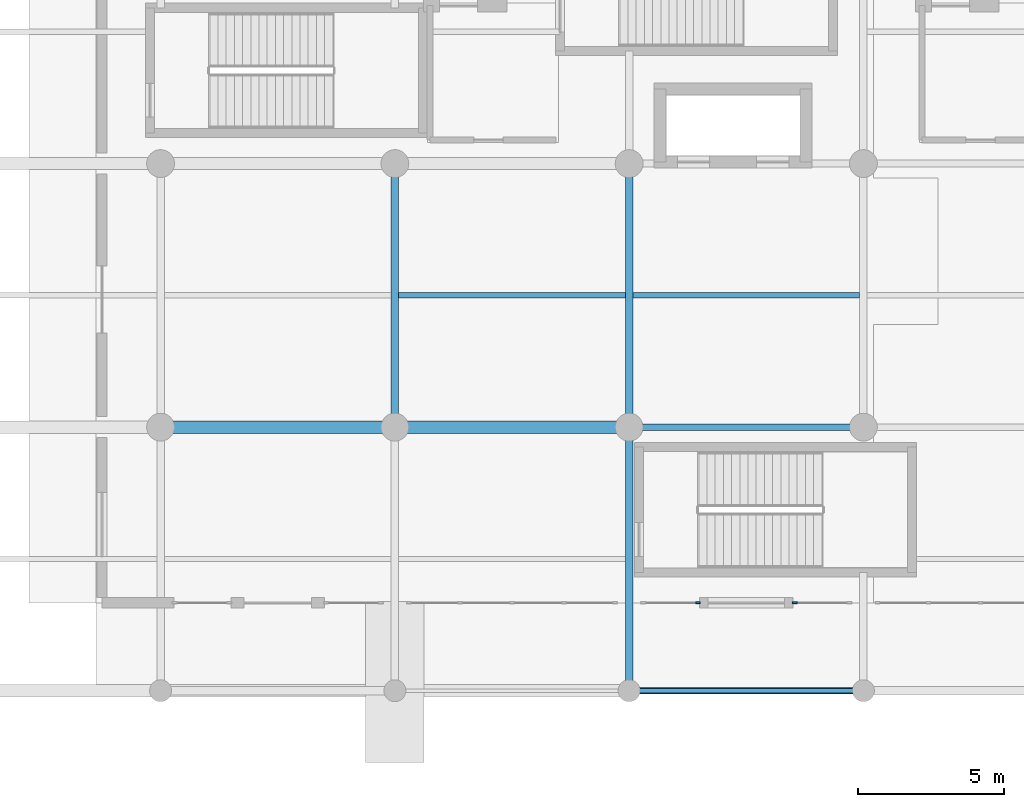
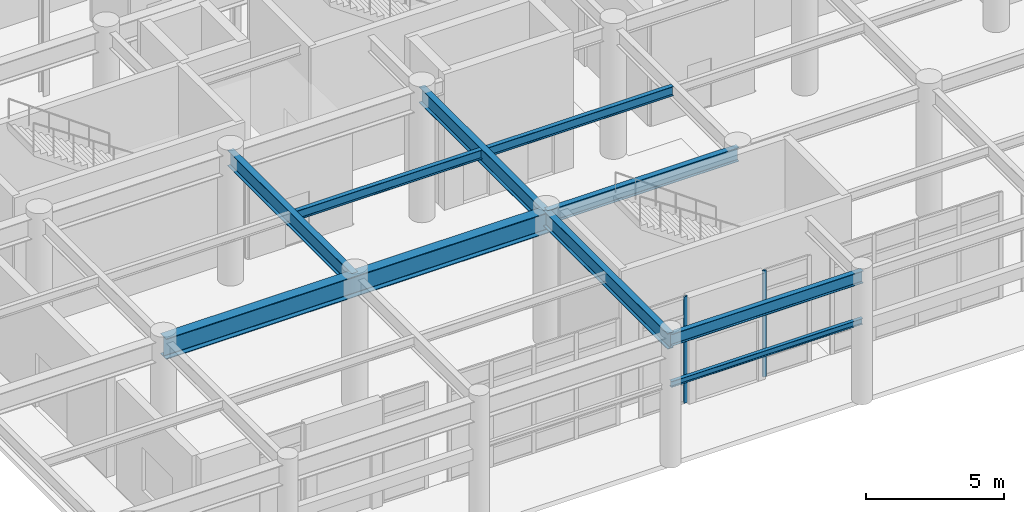
# One storey, part 6 of 49: 9 beams, 2 members, 2 elements without a shape of their own.
"""IFC4 building model written with IfcOpenShell, lengths in metres."""

from ifc_helpers import new_model, si_unit, direction, frame, origin, origin_2d, place, context, subcontext, project, spatial, rectangle, i_section, extrude, material, layer, layer_set, material_profile, profile_set, type_object, element, aggregate, save


model = new_model("IFC4")

# Units and contexts
model_context = context("Model", 3, precision=1e-05, world=origin(), true_north=direction((0.0, 1.0)))
body_context = subcontext(model_context, "Body", "Model", "MODEL_VIEW")
ifc_project = project(units=[si_unit("LENGTHUNIT", "METRE"), si_unit("AREAUNIT", "SQUARE_METRE"), si_unit("VOLUMEUNIT", "CUBIC_METRE"), si_unit("PLANEANGLEUNIT", "RADIAN"), si_unit("MASSUNIT", "GRAM", prefix="KILO")], contexts=[model_context])

# Site, building, storey
site_placement = place(None, origin())
site = spatial("IfcSite", under=ifc_project, at=site_placement, CompositionType="ELEMENT")
building_placement = place(site_placement, origin())
building = spatial("IfcBuilding", under=site, at=building_placement, Name="Tlacozan Convention Centre", CompositionType="ELEMENT")
storey_placement = place(building_placement, origin())
storey = spatial("IfcBuildingStorey", under=building, at=storey_placement, Name="L00", CompositionType="ELEMENT", Elevation=0.0)

# Curtain wall, member
ifc_material_1 = material(Name="Dark Bronze Anodised Aluminium", Category="aluminium")
ifc_layer = layer(ifc_material_1, 0.159912109375)
ifc_layer_set = layer_set([ifc_layer], Name="Dark Bronze Anodised Aluminium")
curtain_wall_type = type_object("IfcCurtainWallType", Name="Unitised Concourse Curtain Wall CW01", PredefinedType="NOTDEFINED", material=ifc_layer_set)
curtain_wall_1_placement = place(storey_placement, origin())
curtain_wall_1 = element("IfcCurtainWall", 1, at=curtain_wall_1_placement, inside=storey, type_object=curtain_wall_type, Name="L00 CW-01 Run 33", PredefinedType="NOTDEFINED")
ifc_material_profile_1 = material_profile(ifc_material_1, rectangle(XDim=0.06494140625, YDim=0.159912109375, at=origin_2d()), Name="ALU 65x160")
ifc_profile_set_1 = profile_set([ifc_material_profile_1], Name="Dark Bronze Anodised Aluminium")
member_type = type_object("IfcMemberType", Name="Curtain Wall Mullion 65x160", PredefinedType="MULLION", material=ifc_profile_set_1)
member_1_placement = place(storey_placement, frame((26.347412109375, 3.0, 0.0), z_axis=(0.0, 0.0, 1.0), x_axis=(0.0, 1.0, 0.0)))
member_1 = element("IfcMember", 2, at=member_1_placement, type_object=member_type, Name="CW-01 mullion 2", PredefinedType="MULLION", context=body_context, shape_type="SweptSolid", body=[
    extrude(rectangle(XDim=0.06494140625, YDim=0.159912109375, at=origin_2d()), origin(), (0.0, 0.0, 1.0), 4.699951171875),
])
aggregate(curtain_wall_1, [member_1])

curtain_wall_2_placement = place(storey_placement, origin())
curtain_wall_2 = element("IfcCurtainWall", 3, at=curtain_wall_2_placement, inside=storey, type_object=curtain_wall_type, Name="L00 CW-01 Run 34", PredefinedType="NOTDEFINED")
member_2_placement = place(storey_placement, frame((29.652587890625, 3.0, 0.0), z_axis=(0.0, 0.0, 1.0), x_axis=(0.0, 1.0, 0.0)))
member_2 = element("IfcMember", 4, at=member_2_placement, type_object=member_type, Name="CW-01 mullion 1", PredefinedType="MULLION", context=body_context, shape_type="SweptSolid", body=[
    extrude(rectangle(XDim=0.06494140625, YDim=0.159912109375, at=origin_2d()), origin(), (0.0, 0.0, 1.0), 4.699951171875),
])
aggregate(curtain_wall_2, [member_2])

# Beams
ifc_material_2 = material(Name="Steel ASTM A992 Grade 50", Category="steel")
ifc_material_profile_2 = material_profile(ifc_material_2, i_section(OverallWidth=0.22900390625, OverallDepth=0.612060546875, WebThickness=0.011962890625, FlangeThickness=0.01953125, FilletRadius=0.012939453125, at=origin_2d()), Name="IR 610x125.0")
ifc_profile_set_2 = profile_set([ifc_material_profile_2], Name="Steel ASTM A992 Grade 50")
beam_type_1 = type_object("IfcBeamType", Name="Floor Beam IR 610x125", PredefinedType="BEAM", material=ifc_profile_set_2)
beam_1_placement = place(storey_placement, frame((24.0, 9.0, 5.4140625), z_axis=(1.0, 0.0, 0.0), x_axis=(0.0, 1.0, 0.0)))
element("IfcBeam", 5, at=beam_1_placement, inside=storey, type_object=beam_type_1, Name="L00 Floor Beam IR 610x125 191", PredefinedType="BEAM", context=body_context, shape_type="SweptSolid", body=[
    extrude(i_section(OverallWidth=0.22900390625, OverallDepth=0.612060546875, WebThickness=0.011962890625, FlangeThickness=0.01953125, FilletRadius=0.012939453125, at=origin_2d()), origin(), (0.0, 0.0, 1.0), 8.0),
])
ifc_material_profile_3 = material_profile(ifc_material_2, i_section(OverallWidth=0.256103515625, OverallDepth=0.693115234375, WebThickness=0.014404296875, FlangeThickness=0.023681640625, FilletRadius=0.014892578125, at=origin_2d()), Name="IR 686x170.0")
ifc_profile_set_3 = profile_set([ifc_material_profile_3], Name="Steel ASTM A992 Grade 50")
beam_type_2 = type_object("IfcBeamType", Name="Girder Steel IR 686x170", PredefinedType="BEAM", material=ifc_profile_set_3)
for number, where, z_axis, x_axis, name in (
    (6, (16.0, 9.0, 5.37353515625), (0.0, 1.0, 0.0), (-1.0, 0.0, 0.0), "L00 Girder Steel IR 686x170 130"),
    (7, (24.0, 0.0, 5.37353515625), (0.0, 1.0, 0.0), (-1.0, 0.0, 0.0), "L00 Girder Steel IR 686x170 132"),
    (8, (24.0, 9.0, 5.37353515625), (0.0, 1.0, 0.0), (-1.0, 0.0, 0.0), "L00 Girder Steel IR 686x170 133"),
):
    element("IfcBeam", number, at=place(storey_placement, frame(where, z_axis=z_axis, x_axis=x_axis)), inside=storey, type_object=beam_type_2, Name=name, PredefinedType="BEAM", context=body_context, shape_type="SweptSolid", body=[
        extrude(i_section(OverallWidth=0.256103515625, OverallDepth=0.693115234375, WebThickness=0.014404296875, FlangeThickness=0.023681640625, FilletRadius=0.014892578125, at=origin_2d()), origin(), (0.0, 0.0, 1.0), 9.0),
    ])
ifc_material_profile_4 = material_profile(ifc_material_2, i_section(OverallWidth=0.14697265625, OverallDepth=0.261962890625, WebThickness=0.006591796875, FlangeThickness=0.01123046875, FilletRadius=0.008056640625, at=origin_2d()), Name="IR 254x38.5")
ifc_profile_set_4 = profile_set([ifc_material_profile_4], Name="Steel ASTM A992 Grade 50")
beam_type_3 = type_object("IfcBeamType", Name="Opening Lintel IR 254x38.5", PredefinedType="LINTEL", material=ifc_profile_set_4)
beam_2_placement = place(storey_placement, frame((24.0, 0.0, 3.468994140625), z_axis=(1.0, 0.0, 0.0), x_axis=(0.0, 1.0, 0.0)))
element("IfcBeam", 9, at=beam_2_placement, inside=storey, type_object=beam_type_3, Name="L00 Opening Lintel IR 254x38.5 1725", PredefinedType="LINTEL", context=body_context, shape_type="SweptSolid", body=[
    extrude(i_section(OverallWidth=0.14697265625, OverallDepth=0.261962890625, WebThickness=0.006591796875, FlangeThickness=0.01123046875, FilletRadius=0.008056640625, at=origin_2d()), origin(), (0.0, 0.0, 1.0), 8.0),
])
ifc_material_profile_5 = material_profile(ifc_material_2, i_section(OverallWidth=0.2109375, OverallDepth=0.5390625, WebThickness=0.01171875, FlangeThickness=0.018798828125, FilletRadius=0.012939453125, at=origin_2d()), Name="IR 533x109.0")
ifc_profile_set_5 = profile_set([ifc_material_profile_5], Name="Steel ASTM A992 Grade 50")
beam_type_4 = type_object("IfcBeamType", Name="Perimeter Spandrel IR 533x109", PredefinedType="SPANDREL", material=ifc_profile_set_5)
beam_3_placement = place(storey_placement, frame((24.0, 0.0, 5.450439453125), z_axis=(1.0, 0.0, 0.0), x_axis=(0.0, 1.0, 0.0)))
element("IfcBeam", 10, at=beam_3_placement, inside=storey, type_object=beam_type_4, Name="L00 Perimeter Spandrel IR 533x109 190", PredefinedType="SPANDREL", context=body_context, shape_type="SweptSolid", body=[
    extrude(i_section(OverallWidth=0.2109375, OverallDepth=0.5390625, WebThickness=0.01171875, FlangeThickness=0.018798828125, FilletRadius=0.012939453125, at=origin_2d()), origin(), (0.0, 0.0, 1.0), 8.0),
])
ifc_material_profile_6 = material_profile(ifc_material_2, i_section(OverallWidth=0.179931640625, OverallDepth=0.4130859375, WebThickness=0.009765625, FlangeThickness=0.01611328125, FilletRadius=0.010986328125, at=origin_2d()), Name="IR 406x74.4")
ifc_profile_set_6 = profile_set([ifc_material_profile_6], Name="Steel ASTM A992 Grade 50")
beam_type_5 = type_object("IfcBeamType", Name="Secondary Joist IR 406x74.4", PredefinedType="JOIST", material=ifc_profile_set_6)
for number, where, z_axis, x_axis, name in (
    (11, (16.1259765625, 13.5, 5.513427734375), (1.0, 0.0, 0.0), (0.0, 1.0, 0.0), "L00 Secondary Joist IR 406x74.4 232"),
    (12, (24.1259765625, 13.5, 5.513427734375), (1.0, 0.0, 0.0), (0.0, 1.0, 0.0), "L00 Secondary Joist IR 406x74.4 234"),
):
    element("IfcBeam", number, at=place(storey_placement, frame(where, z_axis=z_axis, x_axis=x_axis)), inside=storey, type_object=beam_type_5, Name=name, PredefinedType="JOIST", context=body_context, shape_type="SweptSolid", body=[
        extrude(i_section(OverallWidth=0.179931640625, OverallDepth=0.4130859375, WebThickness=0.009765625, FlangeThickness=0.01611328125, FilletRadius=0.010986328125, at=origin_2d()), origin(), (0.0, 0.0, 1.0), 7.748046875),
    ])
ifc_material_profile_7 = material_profile(ifc_material_2, i_section(OverallWidth=0.41796875, OverallDepth=0.912109375, WebThickness=0.019287109375, FlangeThickness=0.031982421875, FilletRadius=0.02001953125, at=origin_2d()), Name="IR 914x342.0")
ifc_profile_set_7 = profile_set([ifc_material_profile_7], Name="Steel ASTM A992 Grade 50")
beam_type_6 = type_object("IfcBeamType", Name="Transfer Girder IR 914x342", PredefinedType="BEAM", material=ifc_profile_set_7)
beam_4_placement = place(storey_placement, frame((24.0, 9.0, 5.263916015625), z_axis=(-1.0, 0.0, 0.0), x_axis=(0.0, -1.0, 0.0)))
element("IfcBeam", 13, at=beam_4_placement, inside=storey, type_object=beam_type_6, Name="L00 Transfer Girder IR 914x342 178", PredefinedType="BEAM", context=body_context, shape_type="SweptSolid", body=[
    extrude(i_section(OverallWidth=0.41796875, OverallDepth=0.912109375, WebThickness=0.019287109375, FlangeThickness=0.031982421875, FilletRadius=0.02001953125, at=origin_2d()), origin(), (0.0, 0.0, 1.0), 16.0),
])

save(model, "model.ifc")
